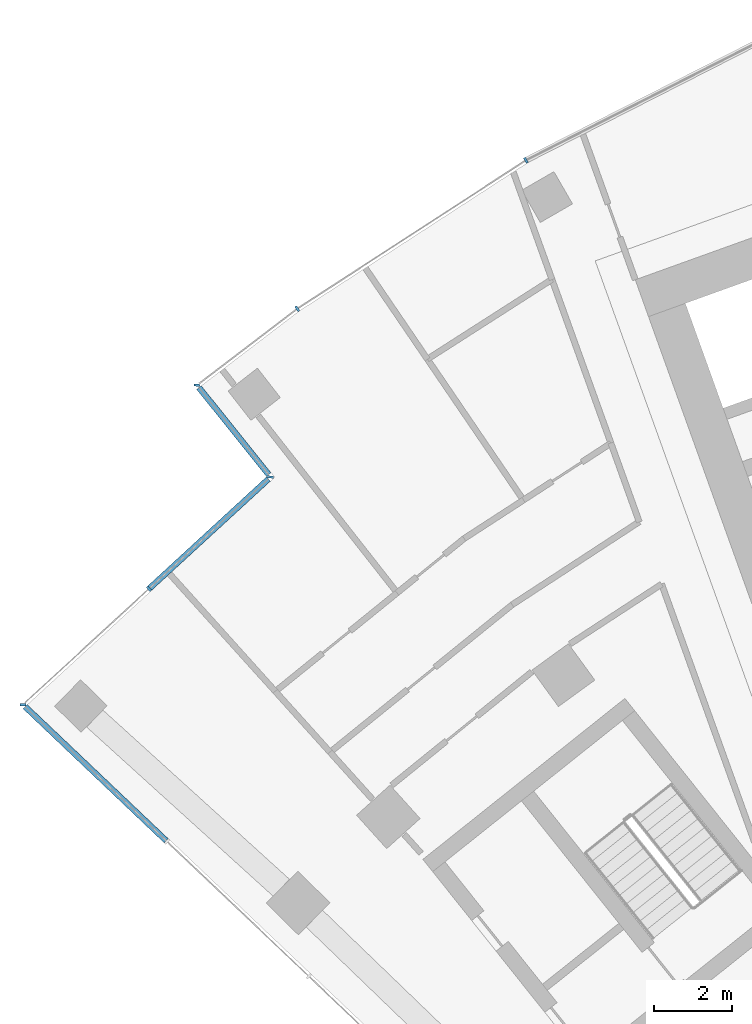
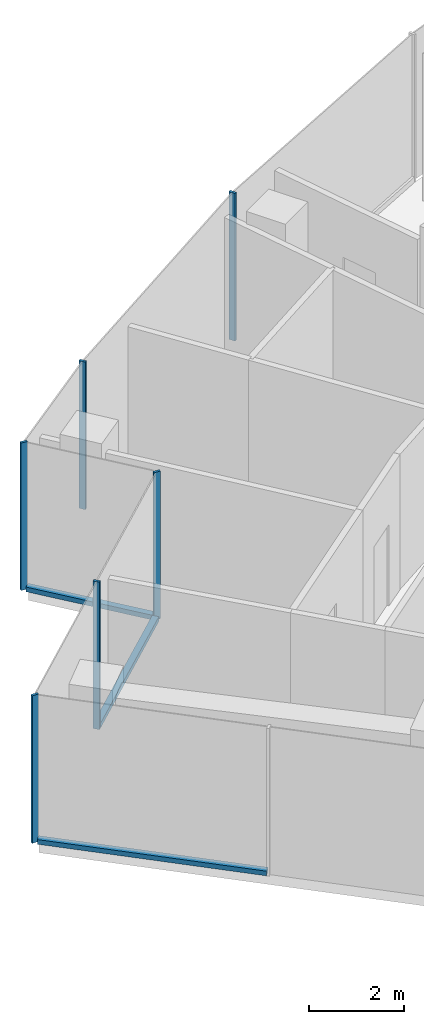
# One storey, part 3 of 19: 9 members, 4 elements without a shape of their own.
"""IFC4 building model written with IfcOpenShell, lengths in metres."""

from ifc_helpers import new_model, si_unit, direction, frame, origin, origin_2d, place, context, subcontext, project, spatial, rectangle, extrude, material, layer, layer_set, material_profile, profile_set, type_object, element, aggregate, save


model = new_model("IFC4")

# Units and contexts
model_context = context("Model", 3, precision=1e-05, world=origin(), true_north=direction((0.0, 1.0)))
body_context = subcontext(model_context, "Body", "Model", "MODEL_VIEW")
ifc_project = project(units=[si_unit("LENGTHUNIT", "METRE"), si_unit("AREAUNIT", "SQUARE_METRE"), si_unit("VOLUMEUNIT", "CUBIC_METRE"), si_unit("PLANEANGLEUNIT", "RADIAN"), si_unit("MASSUNIT", "GRAM", prefix="KILO")], contexts=[model_context])

# Site, building, storey
site_placement = place(None, origin())
site = spatial("IfcSite", under=ifc_project, at=site_placement, CompositionType="ELEMENT")
building_placement = place(site_placement, origin())
building = spatial("IfcBuilding", under=site, at=building_placement, Name="Stone Belt Terrace Tower", CompositionType="ELEMENT")
storey_placement = place(building_placement, frame((0.0, 0.0, 208.60009765625)))
storey = spatial("IfcBuildingStorey", under=building, at=storey_placement, Name="L50", CompositionType="ELEMENT", Elevation=208.60009765625)

# Curtain wall, members
ifc_material = material(Name="Aluminium 6063-T6 anodised frame", Category="aluminium")
ifc_layer_1 = layer(ifc_material, 0.14990234375)
ifc_layer_set_1 = layer_set([ifc_layer_1], Name="CW-A unitised convex-face curtain wall")
curtain_wall_type_1 = type_object("IfcCurtainWallType", Name="CW-A unitised convex-face curtain wall", PredefinedType="NOTDEFINED", material=ifc_layer_set_1)
curtain_wall_1_placement = place(storey_placement, origin())
curtain_wall_1 = element("IfcCurtainWall", 1, at=curtain_wall_1_placement, inside=storey, type_object=curtain_wall_type_1, Name="CW-A convex face L50", PredefinedType="NOTDEFINED")
ifc_material_profile_1 = material_profile(ifc_material, rectangle(XDim=0.14990234375, YDim=0.06005859375, at=origin_2d()), Name="Aluminium 6063-T6 60x150")
ifc_profile_set_1 = profile_set([ifc_material_profile_1], Name="Aluminium 6063-T6 anodised frame")
member_type_1 = type_object("IfcMemberType", Name="CW-A mullion 60 x 150", PredefinedType="MULLION", material=ifc_profile_set_1)
member_1_placement = place(storey_placement, frame((-33.28759765625, 57.65576171875, 0.0), z_axis=(0.0, 0.0, 1.0), x_axis=(0.5, -0.866025403784, 0.0)))
member_1 = element("IfcMember", 2, at=member_1_placement, type_object=member_type_1, Name="CW-A mullion 14", PredefinedType="MULLION", context=body_context, shape_type="SweptSolid", body=[
    extrude(rectangle(XDim=0.14990234375, YDim=0.06005859375, at=origin_2d()), origin(), (0.0, 0.0, 1.0), 3.7998046875),
])
member_2_placement = place(storey_placement, frame((-39.130859375, 53.861083984375, 0.0), z_axis=(0.0, 0.0, 1.0), x_axis=(0.576101937282, -0.81737785501, 0.0)))
member_2 = element("IfcMember", 3, at=member_2_placement, type_object=member_type_1, Name="CW-A mullion 15", PredefinedType="MULLION", context=body_context, shape_type="SweptSolid", body=[
    extrude(rectangle(XDim=0.14990234375, YDim=0.06005859375, at=origin_2d()), origin(), (0.0, 0.0, 1.0), 3.7998046875),
])
aggregate(curtain_wall_1, [member_1, member_2])

# Curtain wall, member
ifc_layer_2 = layer(ifc_material, 0.14990234375)
ifc_layer_set_2 = layer_set([ifc_layer_2], Name="CW-C stick curtain wall, horn ends and notches")
curtain_wall_type_2 = type_object("IfcCurtainWallType", Name="CW-C stick curtain wall, horn ends and notches", PredefinedType="NOTDEFINED", material=ifc_layer_set_2)
curtain_wall_2_placement = place(storey_placement, origin())
curtain_wall_2 = element("IfcCurtainWall", 4, at=curtain_wall_2_placement, inside=storey, type_object=curtain_wall_type_2, Name="CW-C notch face L50", PredefinedType="NOTDEFINED")
ifc_material_profile_2 = material_profile(ifc_material, rectangle(XDim=0.14990234375, YDim=0.06005859375, at=origin_2d()), Name="Aluminium 6063-T6 60x150")
ifc_profile_set_2 = profile_set([ifc_material_profile_2], Name="Aluminium 6063-T6 anodised frame")
member_type_2 = type_object("IfcMemberType", Name="CW-C mullion 60 x 150", PredefinedType="MULLION", material=ifc_profile_set_2)
member_3_placement = place(storey_placement, frame((-41.69189453125, 51.90625, 0.0), z_axis=(0.0, 0.0, 1.0), x_axis=(0.992610915528, -0.121340720183, 0.0)))
member_3 = element("IfcMember", 5, at=member_3_placement, type_object=member_type_2, Name="CW-C mullion 1", PredefinedType="MULLION", context=body_context, shape_type="SweptSolid", body=[
    extrude(rectangle(XDim=0.14990234375, YDim=0.06005859375, at=origin_2d()), origin(), (0.0, 0.0, 1.0), 3.7998046875),
])

# Curtain wall, members
curtain_wall_3_placement = place(storey_placement, origin())
curtain_wall_3 = element("IfcCurtainWall", 6, at=curtain_wall_3_placement, inside=storey, type_object=curtain_wall_type_2, Name="CW-C notch face L50", PredefinedType="NOTDEFINED")
member_4_placement = place(storey_placement, frame((-39.8115234375, 49.56005859375, 0.0), z_axis=(0.0, 0.0, 1.0), x_axis=(0.99711393405, -0.07591971103, 0.0)))
member_4 = element("IfcMember", 7, at=member_4_placement, type_object=member_type_2, Name="CW-C mullion 1", PredefinedType="MULLION", context=body_context, shape_type="SweptSolid", body=[
    extrude(rectangle(XDim=0.14990234375, YDim=0.06005859375, at=origin_2d()), origin(), (0.0, 0.0, 1.0), 3.7998046875),
])
member_5_placement = place(storey_placement, frame((-42.92138671875, 46.701904296875, 0.0), z_axis=(0.0, 0.0, 1.0), x_axis=(0.676676945985, -0.736280049148, 0.0)))
member_5 = element("IfcMember", 8, at=member_5_placement, type_object=member_type_2, Name="CW-C mullion 2", PredefinedType="MULLION", context=body_context, shape_type="SweptSolid", body=[
    extrude(rectangle(XDim=0.14990234375, YDim=0.06005859375, at=origin_2d()), origin(), (0.0, 0.0, 1.0), 3.7998046875),
])

# Curtain wall, member
curtain_wall_4_placement = place(storey_placement, origin())
curtain_wall_4 = element("IfcCurtainWall", 9, at=curtain_wall_4_placement, inside=storey, type_object=curtain_wall_type_2, Name="CW-C end face L50", PredefinedType="NOTDEFINED")
member_6_placement = place(storey_placement, frame((-46.141845703125, 43.7421875, 0.0), z_axis=(0.0, 0.0, 1.0), x_axis=(0.999965358551, -0.008323562836, 0.0)))
member_6 = element("IfcMember", 10, at=member_6_placement, type_object=member_type_2, Name="CW-C mullion 1", PredefinedType="MULLION", context=body_context, shape_type="SweptSolid", body=[
    extrude(rectangle(XDim=0.14990234375, YDim=0.06005859375, at=origin_2d()), origin(), (0.0, 0.0, 1.0), 3.7998046875),
])

# Member
ifc_material_profile_3 = material_profile(ifc_material, rectangle(XDim=0.14990234375, YDim=0.1201171875, at=origin_2d()), Name="Aluminium 6063-T6 150x120")
ifc_profile_set_3 = profile_set([ifc_material_profile_3], Name="Aluminium 6063-T6 anodised frame")
member_type_3 = type_object("IfcMemberType", Name="CW-C transom 120 x 150", PredefinedType="USERDEFINED", material=ifc_profile_set_3)
member_7_placement = place(storey_placement, frame((-41.645263671875, 51.84814453125, 0.059814453125), z_axis=(0.625350914086, -0.780343664197, 0.0), x_axis=(0.780343664197, 0.625350914086, 0.0)))
member_7 = element("IfcMember", 11, at=member_7_placement, type_object=member_type_3, Name="CW-C transom 1.1", ObjectType="TRANSOM", PredefinedType="USERDEFINED", context=body_context, shape_type="SweptSolid", body=[
    extrude(rectangle(XDim=0.14990234375, YDim=0.1201171875, at=origin_2d()), origin(), (0.0, 0.0, 1.0), 2.85888671875),
])

aggregate(curtain_wall_2, [member_3, member_7])

member_8_placement = place(storey_placement, frame((-39.865478515625, 49.510498046875, 0.059814453125), z_axis=(-0.736309968185, -0.676644390172, 0.0), x_axis=(0.676644390172, -0.736309968185, 0.0)))
member_8 = element("IfcMember", 12, at=member_8_placement, type_object=member_type_3, Name="CW-C transom 1.1", ObjectType="TRANSOM", PredefinedType="USERDEFINED", context=body_context, shape_type="SweptSolid", body=[
    extrude(rectangle(XDim=0.14990234375, YDim=0.1201171875, at=origin_2d()), origin(), (0.0, 0.0, 1.0), 4.120361328125),
])

aggregate(curtain_wall_3, [member_4, member_5, member_8])

member_9_placement = place(storey_placement, frame((-46.08740234375, 43.6904296875, 0.059814453125), z_axis=(0.72491121173, -0.688842315126, 0.0), x_axis=(0.688842315126, 0.72491121173, 0.0)))
member_9 = element("IfcMember", 13, at=member_9_placement, type_object=member_type_3, Name="CW-C transom 1.1", ObjectType="TRANSOM", PredefinedType="USERDEFINED", context=body_context, shape_type="SweptSolid", body=[
    extrude(rectangle(XDim=0.14990234375, YDim=0.1201171875, at=origin_2d()), origin(), (0.0, 0.0, 1.0), 4.97509765625),
])

aggregate(curtain_wall_4, [member_6, member_9])

save(model, "model.ifc")
